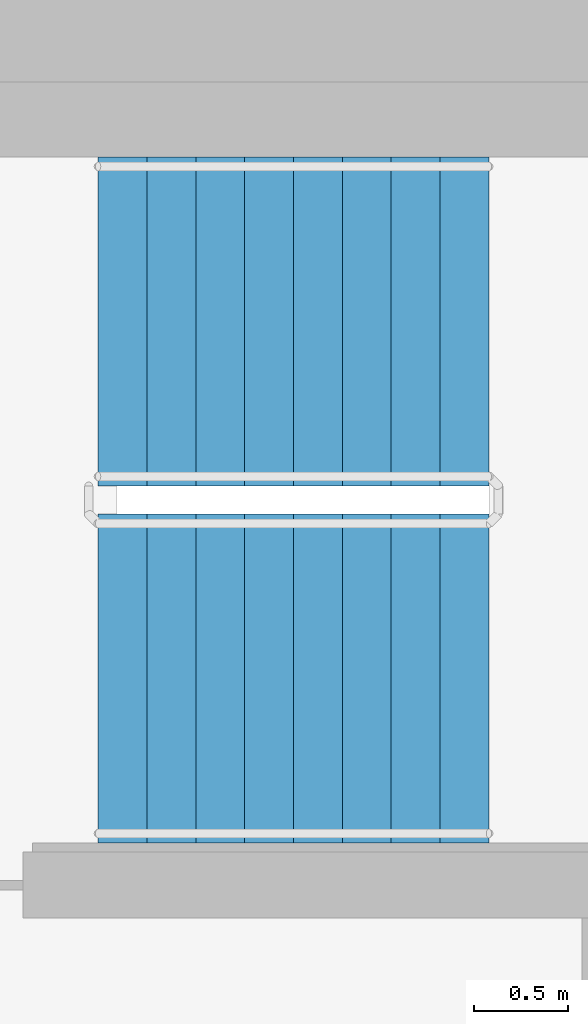
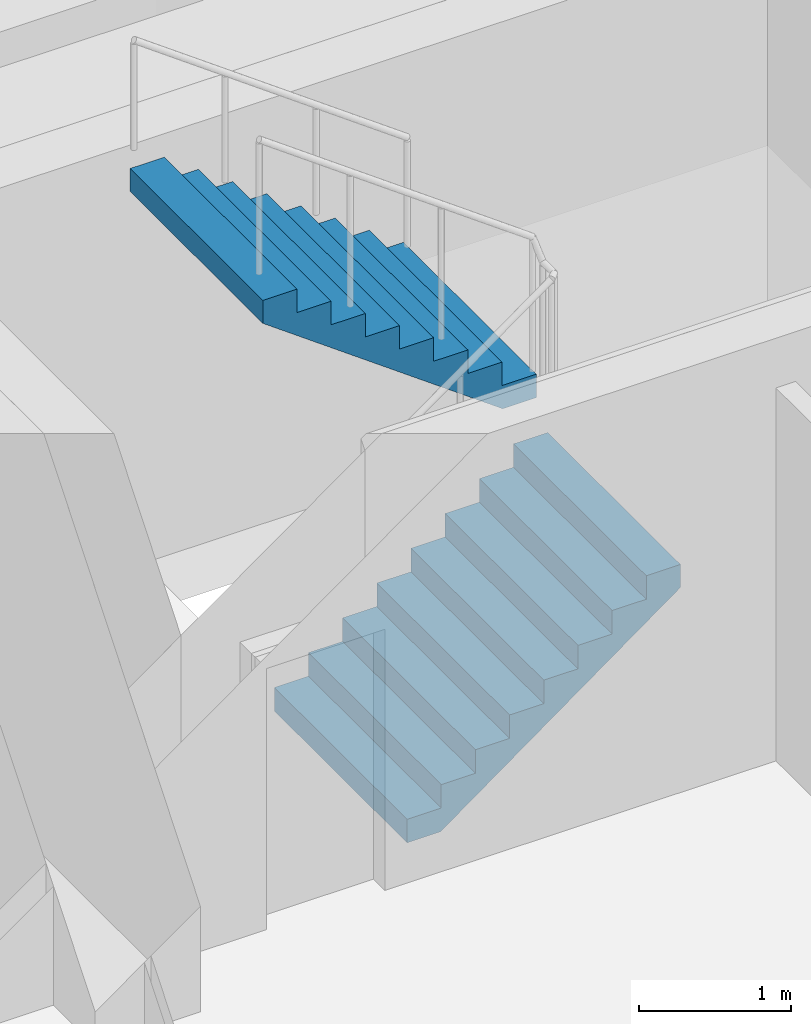
# One storey, part 14 of 19: 2 stair flights, 1 element without a shape of its own.
"""IFC4 building model written with IfcOpenShell, lengths in metres."""

import ifcopenshell
import ifcopenshell.guid

model = None  # the IFC model being written
_history = None  # IfcOwnerHistory: only IFC2X3 demands one
_inside = {}  # id of a spatial element -> (the spatial element, [elements in it])
_under = {}  # id of a project, library or spatial element -> (it, [spatial elements below it])
_declared = {}  # id of a project -> (the project, [libraries it declares])
_typed = {}  # id of a type object -> (the type object, [elements of that type])
_made_of = {}  # id of a material, layer set ... -> (it, [elements and type objects made of it])


def new_model(schema):
    """Start an empty IFC model of exactly this schema.

    Asked for "IFC4X3", IfcOpenShell would pick the latest addendum, in which some entities
    have other attributes; the version numbers below select the first issue.
    IFC2X3 requires an IfcOwnerHistory on every rooted entity: one is made here for all.
    """
    global model, _history
    if schema == "IFC4X3":
        model = ifcopenshell.file(schema_version=(4, 3, 0, 0))
    else:
        model = ifcopenshell.file(schema=schema)
    _inside.clear()
    _under.clear()
    _declared.clear()
    _typed.clear()
    _made_of.clear()
    _history = None
    if model.schema == "IFC2X3":
        org = make("IfcOrganization", Name="unknown")
        user = make(
            "IfcPersonAndOrganization",
            ThePerson=make("IfcPerson", FamilyName="unknown"),
            TheOrganization=org,
        )
        app = make(
            "IfcApplication",
            ApplicationDeveloper=org,
            Version="unknown",
            ApplicationFullName="unknown",
            ApplicationIdentifier="unknown",
        )
        _history = make(
            "IfcOwnerHistory",
            OwningUser=user,
            OwningApplication=app,
            ChangeAction="ADDED",
            CreationDate=0,
        )
    return model


def make(cls, **values):
    """One entity of the class cls with the attributes given. An attribute that is None is left unset."""
    return model.create_entity(
        cls, **{name: value for name, value in values.items() if value is not None}
    )


def rooted(cls, **values):
    """An entity with a GlobalId (a new one), such as an element, a storey or a relation."""
    return make(cls, GlobalId=ifcopenshell.guid.new(), OwnerHistory=_history, **values)


def si_unit(unit_type, name, prefix=None):
    """IfcSIUnit, for example si_unit("LENGTHUNIT", "METRE", prefix="MILLI")."""
    return make("IfcSIUnit", UnitType=unit_type, Prefix=prefix, Name=name)


def assignment(units):
    """IfcUnitAssignment: the units of a project."""
    return None if units is None else make("IfcUnitAssignment", Units=units)


def point(xyz):
    """IfcCartesianPoint."""
    return None if xyz is None else make("IfcCartesianPoint", Coordinates=xyz)


def direction(xyz):
    """IfcDirection."""
    return None if xyz is None else make("IfcDirection", DirectionRatios=xyz)


def frame(location, z_axis=None, x_axis=None):
    """IfcAxis2Placement3D, a coordinate frame: its origin and axes. An axis left out is left unset."""
    return make(
        "IfcAxis2Placement3D",
        Location=point(location),
        Axis=direction(z_axis),
        RefDirection=direction(x_axis),
    )


def origin():
    """The frame at (0, 0, 0) with its axes left unset."""
    return frame((0.0, 0.0, 0.0))


def place(relative_to, where):
    """IfcLocalPlacement: puts the frame where relative to a parent placement (None: the world)."""
    return make(
        "IfcLocalPlacement", PlacementRelTo=relative_to, RelativePlacement=where
    )


def context(
    kind, dimensions, precision=None, world=None, true_north=None, identifier=None
):
    """IfcGeometricRepresentationContext, for example the 3D "Model" context."""
    return make(
        "IfcGeometricRepresentationContext",
        ContextIdentifier=identifier,
        ContextType=kind,
        CoordinateSpaceDimension=dimensions,
        Precision=precision,
        WorldCoordinateSystem=world,
        TrueNorth=true_north,
    )


def subcontext(parent, identifier, kind, view, scale=None):
    """IfcGeometricRepresentationSubContext, for example "Body" below "Model"."""
    return make(
        "IfcGeometricRepresentationSubContext",
        ContextIdentifier=identifier,
        ContextType=kind,
        ParentContext=parent,
        TargetScale=scale,
        TargetView=view,
    )


def project(units=None, contexts=None):
    """IfcProject with its units and contexts."""
    return rooted(
        "IfcProject",
        Name="project",
        RepresentationContexts=contexts,
        UnitsInContext=assignment(units),
    )


def spatial(cls, under=None, at=None, **own):
    """A site, building, storey or space (cls), placed at a placement, below another one or the project."""
    s = rooted(cls, ObjectPlacement=at, **own)
    if under is not None:
        _under.setdefault(under.id(), (under, []))[1].append(s)
    return s


def faces_of(points, faces, orient=None, outer=None):
    """IfcFace entities. A face is a list of loops; a loop is a list of indices into points, from 0.

    orient and outer hold one flag for each loop. By default every Orientation is true, the
    first loop of a face is its IfcFaceOuterBound and the others are IfcFaceBound.
    """
    made = []
    for i, loops in enumerate(faces):
        bounds = []
        for j, loop in enumerate(loops):
            is_outer = j == 0 if outer is None else outer[i][j]
            bounds.append(
                make(
                    "IfcFaceOuterBound" if is_outer else "IfcFaceBound",
                    Bound=make("IfcPolyLoop", Polygon=[points[k] for k in loop]),
                    Orientation=True if orient is None else orient[i][j],
                )
            )
        made.append(make("IfcFace", Bounds=bounds))
    return made


def faceted_brep(points, faces, orient=None, outer=None, voids=None):
    """IfcFacetedBrep: a solid bounded by flat faces; with voids (closed shells), ...WithVoids."""
    shared = [point(p) for p in points]
    hull = make("IfcClosedShell", CfsFaces=faces_of(shared, faces, orient, outer))
    if voids is None:
        return make("IfcFacetedBrep", Outer=hull)
    return make(
        "IfcFacetedBrepWithVoids",
        Outer=hull,
        Voids=[
            make(cls, CfsFaces=faces_of(shared, fs, o, b)) for cls, fs, o, b in voids
        ],
    )


def shape(context_of_items, identifier, shape_type, items):
    """IfcShapeRepresentation: the items that make up one representation, for example the "Body"."""
    return make(
        "IfcShapeRepresentation",
        ContextOfItems=context_of_items,
        RepresentationIdentifier=identifier,
        RepresentationType=shape_type,
        Items=items,
    )


def material(Name=None, Category=None):
    """IfcMaterial."""
    return make("IfcMaterial", Name=Name, Category=Category)


def made_of(thing, what):
    """Note that an element or type object is made of a material, layer set ...; save() writes the relation."""
    if what is not None:
        _made_of.setdefault(what.id(), (what, []))[1].append(thing)
    return thing


def type_object(cls, material=None, **own):
    """A type object (cls), such as IfcWallType, which elements share."""
    return made_of(rooted(cls, **own), material)


def element(
    cls,
    number,
    at=None,
    inside=None,
    cuts=None,
    type_object=None,
    material=None,
    context=None,
    identifier="Body",
    shape_type=None,
    held_by="IfcProductDefinitionShape",
    body=None,
    shapes=None,
    **own,
):
    """One element of the class cls, such as IfcWall. Its Tag is "e" and its number.

    at: its placement. inside: the storey or other place that contains it. cuts: it is an
    opening in that element (IfcRelVoidsElement). A single representation is given by context,
    identifier, shape_type and body (its items); several are given by shapes. held_by: the class
    of the entity that holds the representations. save() writes the other relations.
    """
    e = rooted(cls, Tag="e%d" % number, ObjectPlacement=at, **own)
    if body is not None:
        shapes = [shape(context, identifier, shape_type, body)]
    if shapes is not None:
        e.Representation = make(held_by, Representations=shapes)
    if inside is not None:
        _inside.setdefault(inside.id(), (inside, []))[1].append(e)
    if cuts is not None:
        rooted(
            "IfcRelVoidsElement", RelatingBuildingElement=cuts, RelatedOpeningElement=e
        )
    if type_object is not None:
        _typed.setdefault(type_object.id(), (type_object, []))[1].append(e)
    return made_of(e, material)


def aggregate(whole, parts):
    """IfcRelAggregates: a whole, such as a stair, and the parts it consists of."""
    return rooted("IfcRelAggregates", RelatingObject=whole, RelatedObjects=parts)


def save(model, path):
    """Write the relations noted so far, then the file.

    IfcRelAggregates (storeys below a building ...), IfcRelContainedInSpatialStructure (elements
    in a storey), IfcRelDefinesByType, IfcRelAssociatesMaterial and IfcRelDeclares: one each for
    every whole, place, type object, material and project.
    """
    for whole, parts in _under.values():
        aggregate(whole, parts)
    for where, things in _inside.values():
        rooted(
            "IfcRelContainedInSpatialStructure",
            RelatedElements=things,
            RelatingStructure=where,
        )
    for kind, things in _typed.values():
        rooted("IfcRelDefinesByType", RelatedObjects=things, RelatingType=kind)
    for what, things in _made_of.values():
        rooted("IfcRelAssociatesMaterial", RelatedObjects=things, RelatingMaterial=what)
    for by, libraries in _declared.values():
        rooted("IfcRelDeclares", RelatingContext=by, RelatedDefinitions=libraries)
    model.write(path)


model = new_model("IFC4")

# Units and contexts
model_context = context("Model", 3, precision=1e-05, world=origin(), true_north=direction((0.0, 1.0)))
body_context = subcontext(model_context, "Body", "Model", "MODEL_VIEW")
ifc_project = project(units=[si_unit("LENGTHUNIT", "METRE"), si_unit("AREAUNIT", "SQUARE_METRE"), si_unit("VOLUMEUNIT", "CUBIC_METRE"), si_unit("PLANEANGLEUNIT", "RADIAN"), si_unit("MASSUNIT", "GRAM", prefix="KILO")], contexts=[model_context])

# Site, building, storey
site_placement = place(None, origin())
site = spatial("IfcSite", under=ifc_project, at=site_placement, CompositionType="ELEMENT")
building_placement = place(site_placement, origin())
building = spatial("IfcBuilding", under=site, at=building_placement, Name="Ipe Terrace Towers", CompositionType="ELEMENT")
storey_placement = place(building_placement, frame((0.0, 0.0, 147.300048828125)))
storey = spatial("IfcBuildingStorey", under=building, at=storey_placement, Name="L40", CompositionType="ELEMENT", Elevation=147.300048828125)

# Stair, stair flights
ifc_material_1 = material(Name="Concrete C30/37", Category="concrete")
stair_type = type_object("IfcStairType", Name="Protected exit stair", PredefinedType="HALF_TURN_STAIR", material=ifc_material_1)
stair_placement = place(storey_placement, origin())
stair = element("IfcStair", 1, at=stair_placement, inside=storey, type_object=stair_type, Name="L40 Exit stair T1-C1", PredefinedType="HALF_TURN_STAIR")
ifc_material_2 = material(Name="Concrete C30/37", Category="concrete")
stair_flight_type = type_object("IfcStairFlightType", Name="Exit stair flight 1750", PredefinedType="STRAIGHT", material=ifc_material_2)
stair_flight_1_placement = place(storey_placement, frame((-26.300048828125, 2.77490234375, 0.0), z_axis=(0.0, 0.0, 1.0), x_axis=(1.0, 0.0, 0.0)))
stair_flight_1 = element("IfcStairFlight", 2, at=stair_flight_1_placement, type_object=stair_flight_type, Name="T1-ST1 flight 1", NumberOfRisers=9, NumberOfTreads=8, PredefinedType="STRAIGHT", RiserHeight=0.188888889, TreadLength=0.26, context=body_context, shape_type="Brep", body=[
    faceted_brep([(0.255126953125, -0.875, 0.0), (2.080078125, -0.875, 1.325927734375), (2.080078125, -0.875, 1.51123046875), (1.820068359375, -0.875, 1.51123046875), (1.820068359375, -0.875, 1.322265625), (1.56005859375, -0.875, 1.322265625), (1.56005859375, -0.875, 1.13330078125), (1.300048828125, -0.875, 1.13330078125), (1.300048828125, -0.875, 0.9443359375), (1.0400390625, -0.875, 0.9443359375), (1.0400390625, -0.875, 0.755615234375), (0.780029296875, -0.875, 0.755615234375), (0.780029296875, -0.875, 0.566650390625), (0.52001953125, -0.875, 0.566650390625), (0.52001953125, -0.875, 0.377685546875), (0.260009765625, -0.875, 0.377685546875), (0.260009765625, -0.875, 0.18896484375), (0.0, -0.875, 0.18896484375), (0.0, -0.875, 0.0), (0.0, 0.875, 0.0), (0.0, 0.875, 0.18896484375), (0.260009765625, 0.875, 0.18896484375), (0.260009765625, 0.875, 0.377685546875), (0.52001953125, 0.875, 0.377685546875), (0.52001953125, 0.875, 0.566650390625), (0.780029296875, 0.875, 0.566650390625), (0.780029296875, 0.875, 0.755615234375), (1.0400390625, 0.875, 0.755615234375), (1.0400390625, 0.875, 0.9443359375), (1.300048828125, 0.875, 0.9443359375), (1.300048828125, 0.875, 1.13330078125), (1.56005859375, 0.875, 1.13330078125), (1.56005859375, 0.875, 1.322265625), (1.820068359375, 0.875, 1.322265625), (1.820068359375, 0.875, 1.51123046875), (2.080078125, 0.875, 1.51123046875), (2.080078125, 0.875, 1.325927734375), (0.255126953125, 0.875, 0.0), (0.0, -0.300048828125, 0.18896484375), (0.0, -0.1201171875, 0.18896484375), (0.0, -0.06005859375, 0.18896484375), (0.0, -0.030029296875, 0.18896484375), (0.0, -0.010009765625, 0.18896484375), (0.0, 0.0, 0.18896484375), (0.0, 0.010009765625, 0.18896484375), (0.0, 0.030029296875, 0.18896484375), (0.0, 0.06005859375, 0.18896484375), (0.0, 0.1201171875, 0.18896484375), (0.0, 0.300048828125, 0.18896484375), (0.0, 0.300048828125, 0.0), (0.0, 0.1201171875, 0.0), (0.0, 0.06005859375, 0.0), (0.0, 0.030029296875, 0.0), (0.0, 0.010009765625, 0.0), (0.0, 0.0, 0.0), (0.0, -0.010009765625, 0.0), (0.0, -0.030029296875, 0.0), (0.0, -0.06005859375, 0.0), (0.0, -0.1201171875, 0.0), (0.0, -0.300048828125, 0.0), (0.260009765625, -0.300048828125, 0.18896484375), (0.260009765625, -0.1201171875, 0.18896484375), (0.260009765625, -0.06005859375, 0.18896484375), (0.260009765625, -0.030029296875, 0.18896484375), (0.260009765625, -0.010009765625, 0.18896484375), (0.260009765625, 0.0, 0.18896484375), (0.260009765625, 0.010009765625, 0.18896484375), (0.260009765625, 0.030029296875, 0.18896484375), (0.260009765625, 0.06005859375, 0.18896484375), (0.260009765625, 0.1201171875, 0.18896484375), (0.260009765625, 0.300048828125, 0.18896484375), (0.260009765625, -0.300048828125, 0.377685546875), (0.260009765625, -0.1201171875, 0.377685546875), (0.260009765625, -0.06005859375, 0.377685546875), (0.260009765625, -0.030029296875, 0.377685546875), (0.260009765625, -0.010009765625, 0.377685546875), (0.260009765625, 0.0, 0.377685546875), (0.260009765625, 0.010009765625, 0.377685546875), (0.260009765625, 0.030029296875, 0.377685546875), (0.260009765625, 0.06005859375, 0.377685546875), (0.260009765625, 0.1201171875, 0.377685546875), (0.260009765625, 0.300048828125, 0.377685546875), (0.52001953125, -0.300048828125, 0.377685546875), (0.52001953125, -0.1201171875, 0.377685546875), (0.52001953125, -0.06005859375, 0.377685546875), (0.52001953125, -0.030029296875, 0.377685546875), (0.52001953125, -0.010009765625, 0.377685546875), (0.52001953125, 0.0, 0.377685546875), (0.52001953125, 0.010009765625, 0.377685546875), (0.52001953125, 0.030029296875, 0.377685546875), (0.52001953125, 0.06005859375, 0.377685546875), (0.52001953125, 0.1201171875, 0.377685546875), (0.52001953125, 0.300048828125, 0.377685546875), (0.52001953125, -0.300048828125, 0.566650390625), (0.52001953125, -0.1201171875, 0.566650390625), (0.52001953125, -0.06005859375, 0.566650390625), (0.52001953125, -0.030029296875, 0.566650390625), (0.52001953125, -0.010009765625, 0.566650390625), (0.52001953125, 0.0, 0.566650390625), (0.52001953125, 0.010009765625, 0.566650390625), (0.52001953125, 0.030029296875, 0.566650390625), (0.52001953125, 0.06005859375, 0.566650390625), (0.52001953125, 0.1201171875, 0.566650390625), (0.52001953125, 0.300048828125, 0.566650390625), (0.780029296875, -0.300048828125, 0.566650390625), (0.780029296875, -0.1201171875, 0.566650390625), (0.780029296875, -0.06005859375, 0.566650390625), (0.780029296875, -0.030029296875, 0.566650390625), (0.780029296875, -0.010009765625, 0.566650390625), (0.780029296875, 0.0, 0.566650390625), (0.780029296875, 0.010009765625, 0.566650390625), (0.780029296875, 0.030029296875, 0.566650390625), (0.780029296875, 0.06005859375, 0.566650390625), (0.780029296875, 0.1201171875, 0.566650390625), (0.780029296875, 0.300048828125, 0.566650390625), (0.780029296875, -0.300048828125, 0.755615234375), (0.780029296875, -0.1201171875, 0.755615234375), (0.780029296875, -0.06005859375, 0.755615234375), (0.780029296875, -0.030029296875, 0.755615234375), (0.780029296875, -0.010009765625, 0.755615234375), (0.780029296875, 0.0, 0.755615234375), (0.780029296875, 0.010009765625, 0.755615234375), (0.780029296875, 0.030029296875, 0.755615234375), (0.780029296875, 0.06005859375, 0.755615234375), (0.780029296875, 0.1201171875, 0.755615234375), (0.780029296875, 0.300048828125, 0.755615234375), (1.0400390625, -0.300048828125, 0.755615234375), (1.0400390625, -0.1201171875, 0.755615234375), (1.0400390625, -0.06005859375, 0.755615234375), (1.0400390625, -0.030029296875, 0.755615234375), (1.0400390625, -0.010009765625, 0.755615234375), (1.0400390625, 0.0, 0.755615234375), (1.0400390625, 0.010009765625, 0.755615234375), (1.0400390625, 0.030029296875, 0.755615234375), (1.0400390625, 0.06005859375, 0.755615234375), (1.0400390625, 0.1201171875, 0.755615234375), (1.0400390625, 0.300048828125, 0.755615234375), (1.0400390625, -0.300048828125, 0.9443359375), (1.0400390625, -0.1201171875, 0.9443359375), (1.0400390625, -0.06005859375, 0.9443359375), (1.0400390625, -0.030029296875, 0.9443359375), (1.0400390625, -0.010009765625, 0.9443359375), (1.0400390625, 0.0, 0.9443359375), (1.0400390625, 0.010009765625, 0.9443359375), (1.0400390625, 0.030029296875, 0.9443359375), (1.0400390625, 0.06005859375, 0.9443359375), (1.0400390625, 0.1201171875, 0.9443359375), (1.0400390625, 0.300048828125, 0.9443359375), (1.300048828125, -0.300048828125, 0.9443359375), (1.300048828125, -0.1201171875, 0.9443359375), (1.300048828125, -0.06005859375, 0.9443359375), (1.300048828125, -0.030029296875, 0.9443359375), (1.300048828125, -0.010009765625, 0.9443359375), (1.300048828125, 0.0, 0.9443359375), (1.300048828125, 0.010009765625, 0.9443359375), (1.300048828125, 0.030029296875, 0.9443359375), (1.300048828125, 0.06005859375, 0.9443359375), (1.300048828125, 0.1201171875, 0.9443359375), (1.300048828125, 0.300048828125, 0.9443359375), (1.300048828125, -0.300048828125, 1.13330078125), (1.300048828125, -0.1201171875, 1.13330078125), (1.300048828125, -0.06005859375, 1.13330078125), (1.300048828125, -0.030029296875, 1.13330078125), (1.300048828125, -0.010009765625, 1.13330078125), (1.300048828125, 0.0, 1.13330078125), (1.300048828125, 0.010009765625, 1.13330078125), (1.300048828125, 0.030029296875, 1.13330078125), (1.300048828125, 0.06005859375, 1.13330078125), (1.300048828125, 0.1201171875, 1.13330078125), (1.300048828125, 0.300048828125, 1.13330078125), (1.56005859375, -0.300048828125, 1.13330078125), (1.56005859375, -0.1201171875, 1.13330078125), (1.56005859375, -0.06005859375, 1.13330078125), (1.56005859375, -0.030029296875, 1.13330078125), (1.56005859375, -0.010009765625, 1.13330078125), (1.56005859375, 0.0, 1.13330078125), (1.56005859375, 0.010009765625, 1.13330078125), (1.56005859375, 0.030029296875, 1.13330078125), (1.56005859375, 0.06005859375, 1.13330078125), (1.56005859375, 0.1201171875, 1.13330078125), (1.56005859375, 0.300048828125, 1.13330078125), (1.56005859375, -0.300048828125, 1.322265625), (1.56005859375, -0.1201171875, 1.322265625), (1.56005859375, -0.06005859375, 1.322265625), (1.56005859375, -0.030029296875, 1.322265625), (1.56005859375, -0.010009765625, 1.322265625), (1.56005859375, 0.0, 1.322265625), (1.56005859375, 0.010009765625, 1.322265625), (1.56005859375, 0.030029296875, 1.322265625), (1.56005859375, 0.06005859375, 1.322265625), (1.56005859375, 0.1201171875, 1.322265625), (1.56005859375, 0.300048828125, 1.322265625), (1.820068359375, -0.300048828125, 1.322265625), (1.820068359375, -0.1201171875, 1.322265625), (1.820068359375, -0.06005859375, 1.322265625), (1.820068359375, -0.030029296875, 1.322265625), (1.820068359375, -0.010009765625, 1.322265625), (1.820068359375, 0.0, 1.322265625), (1.820068359375, 0.010009765625, 1.322265625), (1.820068359375, 0.030029296875, 1.322265625), (1.820068359375, 0.06005859375, 1.322265625), (1.820068359375, 0.1201171875, 1.322265625), (1.820068359375, 0.300048828125, 1.322265625), (1.820068359375, -0.300048828125, 1.51123046875), (1.820068359375, -0.1201171875, 1.51123046875), (1.820068359375, -0.06005859375, 1.51123046875), (1.820068359375, -0.030029296875, 1.51123046875), (1.820068359375, -0.010009765625, 1.51123046875), (1.820068359375, 0.0, 1.51123046875), (1.820068359375, 0.010009765625, 1.51123046875), (1.820068359375, 0.030029296875, 1.51123046875), (1.820068359375, 0.06005859375, 1.51123046875), (1.820068359375, 0.1201171875, 1.51123046875), (1.820068359375, 0.300048828125, 1.51123046875), (2.080078125, -0.300048828125, 1.51123046875), (2.080078125, -0.1201171875, 1.51123046875), (2.080078125, -0.06005859375, 1.51123046875), (2.080078125, -0.030029296875, 1.51123046875), (2.080078125, -0.010009765625, 1.51123046875), (2.080078125, 0.0, 1.51123046875), (2.080078125, 0.010009765625, 1.51123046875), (2.080078125, 0.030029296875, 1.51123046875), (2.080078125, 0.06005859375, 1.51123046875), (2.080078125, 0.1201171875, 1.51123046875), (2.080078125, 0.300048828125, 1.51123046875), (2.080078125, -0.300048828125, 1.325927734375), (2.080078125, -0.1201171875, 1.325927734375), (2.080078125, -0.06005859375, 1.325927734375), (2.080078125, -0.030029296875, 1.325927734375), (2.080078125, -0.010009765625, 1.325927734375), (2.080078125, 0.0, 1.325927734375), (2.080078125, 0.010009765625, 1.325927734375), (2.080078125, 0.030029296875, 1.325927734375), (2.080078125, 0.06005859375, 1.325927734375), (2.080078125, 0.1201171875, 1.325927734375), (2.080078125, 0.300048828125, 1.325927734375), (0.255126953125, -0.300048828125, 0.0), (0.255126953125, -0.1201171875, 0.0), (0.255126953125, -0.06005859375, 0.0), (0.255126953125, -0.030029296875, 0.0), (0.255126953125, -0.010009765625, 0.0), (0.255126953125, 0.0, 0.0), (0.255126953125, 0.010009765625, 0.0), (0.255126953125, 0.030029296875, 0.0), (0.255126953125, 0.06005859375, 0.0), (0.255126953125, 0.1201171875, 0.0), (0.255126953125, 0.300048828125, 0.0)], [[[0, 1, 2, 3, 4, 5, 6, 7, 8, 9, 10, 11, 12, 13, 14, 15, 16, 17, 18]], [[19, 20, 21, 22, 23, 24, 25, 26, 27, 28, 29, 30, 31, 32, 33, 34, 35, 36, 37]], [[17, 38, 39, 40, 41, 42, 43, 44, 45, 46, 47, 48, 20, 19, 49, 50, 51, 52, 53, 54, 55, 56, 57, 58, 59, 18]], [[16, 60, 61, 62, 63, 64, 65, 66, 67, 68, 69, 70, 21, 20, 48, 47, 46, 45, 44, 43, 42, 41, 40, 39, 38, 17]], [[15, 71, 72, 73, 74, 75, 76, 77, 78, 79, 80, 81, 22, 21, 70, 69, 68, 67, 66, 65, 64, 63, 62, 61, 60, 16]], [[14, 82, 83, 84, 85, 86, 87, 88, 89, 90, 91, 92, 23, 22, 81, 80, 79, 78, 77, 76, 75, 74, 73, 72, 71, 15]], [[13, 93, 94, 95, 96, 97, 98, 99, 100, 101, 102, 103, 24, 23, 92, 91, 90, 89, 88, 87, 86, 85, 84, 83, 82, 14]], [[12, 104, 105, 106, 107, 108, 109, 110, 111, 112, 113, 114, 25, 24, 103, 102, 101, 100, 99, 98, 97, 96, 95, 94, 93, 13]], [[11, 115, 116, 117, 118, 119, 120, 121, 122, 123, 124, 125, 26, 25, 114, 113, 112, 111, 110, 109, 108, 107, 106, 105, 104, 12]], [[10, 126, 127, 128, 129, 130, 131, 132, 133, 134, 135, 136, 27, 26, 125, 124, 123, 122, 121, 120, 119, 118, 117, 116, 115, 11]], [[9, 137, 138, 139, 140, 141, 142, 143, 144, 145, 146, 147, 28, 27, 136, 135, 134, 133, 132, 131, 130, 129, 128, 127, 126, 10]], [[8, 148, 149, 150, 151, 152, 153, 154, 155, 156, 157, 158, 29, 28, 147, 146, 145, 144, 143, 142, 141, 140, 139, 138, 137, 9]], [[7, 159, 160, 161, 162, 163, 164, 165, 166, 167, 168, 169, 30, 29, 158, 157, 156, 155, 154, 153, 152, 151, 150, 149, 148, 8]], [[6, 170, 171, 172, 173, 174, 175, 176, 177, 178, 179, 180, 31, 30, 169, 168, 167, 166, 165, 164, 163, 162, 161, 160, 159, 7]], [[5, 181, 182, 183, 184, 185, 186, 187, 188, 189, 190, 191, 32, 31, 180, 179, 178, 177, 176, 175, 174, 173, 172, 171, 170, 6]], [[4, 192, 193, 194, 195, 196, 197, 198, 199, 200, 201, 202, 33, 32, 191, 190, 189, 188, 187, 186, 185, 184, 183, 182, 181, 5]], [[3, 203, 204, 205, 206, 207, 208, 209, 210, 211, 212, 213, 34, 33, 202, 201, 200, 199, 198, 197, 196, 195, 194, 193, 192, 4]], [[2, 214, 215, 216, 217, 218, 219, 220, 221, 222, 223, 224, 35, 34, 213, 212, 211, 210, 209, 208, 207, 206, 205, 204, 203, 3]], [[1, 225, 226, 227, 228, 229, 230, 231, 232, 233, 234, 235, 36, 35, 224, 223, 222, 221, 220, 219, 218, 217, 216, 215, 214, 2]], [[0, 236, 237, 238, 239, 240, 241, 242, 243, 244, 245, 246, 37, 36, 235, 234, 233, 232, 231, 230, 229, 228, 227, 226, 225, 1]], [[18, 59, 58, 57, 56, 55, 54, 53, 52, 51, 50, 49, 19, 37, 246, 245, 244, 243, 242, 241, 240, 239, 238, 237, 236, 0]]]),
])
stair_flight_2_placement = place(storey_placement, frame((-24.219970703125, 4.675048828125, 1.699951171875), z_axis=(0.0, 0.0, 1.0), x_axis=(-1.0, 0.0, 0.0)))
stair_flight_2 = element("IfcStairFlight", 3, at=stair_flight_2_placement, type_object=stair_flight_type, Name="T1-ST1 flight 2", NumberOfRisers=9, NumberOfTreads=8, PredefinedType="STRAIGHT", RiserHeight=0.188888889, TreadLength=0.26, context=body_context, shape_type="Brep", body=[
    faceted_brep([(0.255126953125, -0.875, 0.0), (2.080078125, -0.875, 1.325927734375), (2.080078125, -0.875, 1.51123046875), (1.820068359375, -0.875, 1.51123046875), (1.820068359375, -0.875, 1.322265625), (1.56005859375, -0.875, 1.322265625), (1.56005859375, -0.875, 1.13330078125), (1.300048828125, -0.875, 1.13330078125), (1.300048828125, -0.875, 0.9443359375), (1.0400390625, -0.875, 0.9443359375), (1.0400390625, -0.875, 0.755615234375), (0.780029296875, -0.875, 0.755615234375), (0.780029296875, -0.875, 0.566650390625), (0.52001953125, -0.875, 0.566650390625), (0.52001953125, -0.875, 0.377685546875), (0.260009765625, -0.875, 0.377685546875), (0.260009765625, -0.875, 0.18896484375), (0.0, -0.875, 0.18896484375), (0.0, -0.875, 0.0), (0.0, 0.875, 0.0), (0.0, 0.875, 0.18896484375), (0.260009765625, 0.875, 0.18896484375), (0.260009765625, 0.875, 0.377685546875), (0.52001953125, 0.875, 0.377685546875), (0.52001953125, 0.875, 0.566650390625), (0.780029296875, 0.875, 0.566650390625), (0.780029296875, 0.875, 0.755615234375), (1.0400390625, 0.875, 0.755615234375), (1.0400390625, 0.875, 0.9443359375), (1.300048828125, 0.875, 0.9443359375), (1.300048828125, 0.875, 1.13330078125), (1.56005859375, 0.875, 1.13330078125), (1.56005859375, 0.875, 1.322265625), (1.820068359375, 0.875, 1.322265625), (1.820068359375, 0.875, 1.51123046875), (2.080078125, 0.875, 1.51123046875), (2.080078125, 0.875, 1.325927734375), (0.255126953125, 0.875, 0.0), (0.0, -0.300048828125, 0.18896484375), (0.0, -0.1201171875, 0.18896484375), (0.0, -0.06005859375, 0.18896484375), (0.0, -0.030029296875, 0.18896484375), (0.0, -0.010009765625, 0.18896484375), (0.0, 0.0, 0.18896484375), (0.0, 0.010009765625, 0.18896484375), (0.0, 0.030029296875, 0.18896484375), (0.0, 0.06005859375, 0.18896484375), (0.0, 0.1201171875, 0.18896484375), (0.0, 0.300048828125, 0.18896484375), (0.0, 0.300048828125, 0.0), (0.0, 0.1201171875, 0.0), (0.0, 0.06005859375, 0.0), (0.0, 0.030029296875, 0.0), (0.0, 0.010009765625, 0.0), (0.0, 0.0, 0.0), (0.0, -0.010009765625, 0.0), (0.0, -0.030029296875, 0.0), (0.0, -0.06005859375, 0.0), (0.0, -0.1201171875, 0.0), (0.0, -0.300048828125, 0.0), (0.260009765625, -0.300048828125, 0.18896484375), (0.260009765625, -0.1201171875, 0.18896484375), (0.260009765625, -0.06005859375, 0.18896484375), (0.260009765625, -0.030029296875, 0.18896484375), (0.260009765625, -0.010009765625, 0.18896484375), (0.260009765625, 0.0, 0.18896484375), (0.260009765625, 0.010009765625, 0.18896484375), (0.260009765625, 0.030029296875, 0.18896484375), (0.260009765625, 0.06005859375, 0.18896484375), (0.260009765625, 0.1201171875, 0.18896484375), (0.260009765625, 0.300048828125, 0.18896484375), (0.260009765625, -0.300048828125, 0.377685546875), (0.260009765625, -0.1201171875, 0.377685546875), (0.260009765625, -0.06005859375, 0.377685546875), (0.260009765625, -0.030029296875, 0.377685546875), (0.260009765625, -0.010009765625, 0.377685546875), (0.260009765625, 0.0, 0.377685546875), (0.260009765625, 0.010009765625, 0.377685546875), (0.260009765625, 0.030029296875, 0.377685546875), (0.260009765625, 0.06005859375, 0.377685546875), (0.260009765625, 0.1201171875, 0.377685546875), (0.260009765625, 0.300048828125, 0.377685546875), (0.52001953125, -0.300048828125, 0.377685546875), (0.52001953125, -0.1201171875, 0.377685546875), (0.52001953125, -0.06005859375, 0.377685546875), (0.52001953125, -0.030029296875, 0.377685546875), (0.52001953125, -0.010009765625, 0.377685546875), (0.52001953125, 0.0, 0.377685546875), (0.52001953125, 0.010009765625, 0.377685546875), (0.52001953125, 0.030029296875, 0.377685546875), (0.52001953125, 0.06005859375, 0.377685546875), (0.52001953125, 0.1201171875, 0.377685546875), (0.52001953125, 0.300048828125, 0.377685546875), (0.52001953125, -0.300048828125, 0.566650390625), (0.52001953125, -0.1201171875, 0.566650390625), (0.52001953125, -0.06005859375, 0.566650390625), (0.52001953125, -0.030029296875, 0.566650390625), (0.52001953125, -0.010009765625, 0.566650390625), (0.52001953125, 0.0, 0.566650390625), (0.52001953125, 0.010009765625, 0.566650390625), (0.52001953125, 0.030029296875, 0.566650390625), (0.52001953125, 0.06005859375, 0.566650390625), (0.52001953125, 0.1201171875, 0.566650390625), (0.52001953125, 0.300048828125, 0.566650390625), (0.780029296875, -0.300048828125, 0.566650390625), (0.780029296875, -0.1201171875, 0.566650390625), (0.780029296875, -0.06005859375, 0.566650390625), (0.780029296875, -0.030029296875, 0.566650390625), (0.780029296875, -0.010009765625, 0.566650390625), (0.780029296875, 0.0, 0.566650390625), (0.780029296875, 0.010009765625, 0.566650390625), (0.780029296875, 0.030029296875, 0.566650390625), (0.780029296875, 0.06005859375, 0.566650390625), (0.780029296875, 0.1201171875, 0.566650390625), (0.780029296875, 0.300048828125, 0.566650390625), (0.780029296875, -0.300048828125, 0.755615234375), (0.780029296875, -0.1201171875, 0.755615234375), (0.780029296875, -0.06005859375, 0.755615234375), (0.780029296875, -0.030029296875, 0.755615234375), (0.780029296875, -0.010009765625, 0.755615234375), (0.780029296875, 0.0, 0.755615234375), (0.780029296875, 0.010009765625, 0.755615234375), (0.780029296875, 0.030029296875, 0.755615234375), (0.780029296875, 0.06005859375, 0.755615234375), (0.780029296875, 0.1201171875, 0.755615234375), (0.780029296875, 0.300048828125, 0.755615234375), (1.0400390625, -0.300048828125, 0.755615234375), (1.0400390625, -0.1201171875, 0.755615234375), (1.0400390625, -0.06005859375, 0.755615234375), (1.0400390625, -0.030029296875, 0.755615234375), (1.0400390625, -0.010009765625, 0.755615234375), (1.0400390625, 0.0, 0.755615234375), (1.0400390625, 0.010009765625, 0.755615234375), (1.0400390625, 0.030029296875, 0.755615234375), (1.0400390625, 0.06005859375, 0.755615234375), (1.0400390625, 0.1201171875, 0.755615234375), (1.0400390625, 0.300048828125, 0.755615234375), (1.0400390625, -0.300048828125, 0.9443359375), (1.0400390625, -0.1201171875, 0.9443359375), (1.0400390625, -0.06005859375, 0.9443359375), (1.0400390625, -0.030029296875, 0.9443359375), (1.0400390625, -0.010009765625, 0.9443359375), (1.0400390625, 0.0, 0.9443359375), (1.0400390625, 0.010009765625, 0.9443359375), (1.0400390625, 0.030029296875, 0.9443359375), (1.0400390625, 0.06005859375, 0.9443359375), (1.0400390625, 0.1201171875, 0.9443359375), (1.0400390625, 0.300048828125, 0.9443359375), (1.300048828125, -0.300048828125, 0.9443359375), (1.300048828125, -0.1201171875, 0.9443359375), (1.300048828125, -0.06005859375, 0.9443359375), (1.300048828125, -0.030029296875, 0.9443359375), (1.300048828125, -0.010009765625, 0.9443359375), (1.300048828125, 0.0, 0.9443359375), (1.300048828125, 0.010009765625, 0.9443359375), (1.300048828125, 0.030029296875, 0.9443359375), (1.300048828125, 0.06005859375, 0.9443359375), (1.300048828125, 0.1201171875, 0.9443359375), (1.300048828125, 0.300048828125, 0.9443359375), (1.300048828125, -0.300048828125, 1.13330078125), (1.300048828125, -0.1201171875, 1.13330078125), (1.300048828125, -0.06005859375, 1.13330078125), (1.300048828125, -0.030029296875, 1.13330078125), (1.300048828125, -0.010009765625, 1.13330078125), (1.300048828125, 0.0, 1.13330078125), (1.300048828125, 0.010009765625, 1.13330078125), (1.300048828125, 0.030029296875, 1.13330078125), (1.300048828125, 0.06005859375, 1.13330078125), (1.300048828125, 0.1201171875, 1.13330078125), (1.300048828125, 0.300048828125, 1.13330078125), (1.56005859375, -0.300048828125, 1.13330078125), (1.56005859375, -0.1201171875, 1.13330078125), (1.56005859375, -0.06005859375, 1.13330078125), (1.56005859375, -0.030029296875, 1.13330078125), (1.56005859375, -0.010009765625, 1.13330078125), (1.56005859375, 0.0, 1.13330078125), (1.56005859375, 0.010009765625, 1.13330078125), (1.56005859375, 0.030029296875, 1.13330078125), (1.56005859375, 0.06005859375, 1.13330078125), (1.56005859375, 0.1201171875, 1.13330078125), (1.56005859375, 0.300048828125, 1.13330078125), (1.56005859375, -0.300048828125, 1.322265625), (1.56005859375, -0.1201171875, 1.322265625), (1.56005859375, -0.06005859375, 1.322265625), (1.56005859375, -0.030029296875, 1.322265625), (1.56005859375, -0.010009765625, 1.322265625), (1.56005859375, 0.0, 1.322265625), (1.56005859375, 0.010009765625, 1.322265625), (1.56005859375, 0.030029296875, 1.322265625), (1.56005859375, 0.06005859375, 1.322265625), (1.56005859375, 0.1201171875, 1.322265625), (1.56005859375, 0.300048828125, 1.322265625), (1.820068359375, -0.300048828125, 1.322265625), (1.820068359375, -0.1201171875, 1.322265625), (1.820068359375, -0.06005859375, 1.322265625), (1.820068359375, -0.030029296875, 1.322265625), (1.820068359375, -0.010009765625, 1.322265625), (1.820068359375, 0.0, 1.322265625), (1.820068359375, 0.010009765625, 1.322265625), (1.820068359375, 0.030029296875, 1.322265625), (1.820068359375, 0.06005859375, 1.322265625), (1.820068359375, 0.1201171875, 1.322265625), (1.820068359375, 0.300048828125, 1.322265625), (1.820068359375, -0.300048828125, 1.51123046875), (1.820068359375, -0.1201171875, 1.51123046875), (1.820068359375, -0.06005859375, 1.51123046875), (1.820068359375, -0.030029296875, 1.51123046875), (1.820068359375, -0.010009765625, 1.51123046875), (1.820068359375, 0.0, 1.51123046875), (1.820068359375, 0.010009765625, 1.51123046875), (1.820068359375, 0.030029296875, 1.51123046875), (1.820068359375, 0.06005859375, 1.51123046875), (1.820068359375, 0.1201171875, 1.51123046875), (1.820068359375, 0.300048828125, 1.51123046875), (2.080078125, -0.300048828125, 1.51123046875), (2.080078125, -0.1201171875, 1.51123046875), (2.080078125, -0.06005859375, 1.51123046875), (2.080078125, -0.030029296875, 1.51123046875), (2.080078125, -0.010009765625, 1.51123046875), (2.080078125, 0.0, 1.51123046875), (2.080078125, 0.010009765625, 1.51123046875), (2.080078125, 0.030029296875, 1.51123046875), (2.080078125, 0.06005859375, 1.51123046875), (2.080078125, 0.1201171875, 1.51123046875), (2.080078125, 0.300048828125, 1.51123046875), (2.080078125, -0.300048828125, 1.325927734375), (2.080078125, -0.1201171875, 1.325927734375), (2.080078125, -0.06005859375, 1.325927734375), (2.080078125, -0.030029296875, 1.325927734375), (2.080078125, -0.010009765625, 1.325927734375), (2.080078125, 0.0, 1.325927734375), (2.080078125, 0.010009765625, 1.325927734375), (2.080078125, 0.030029296875, 1.325927734375), (2.080078125, 0.06005859375, 1.325927734375), (2.080078125, 0.1201171875, 1.325927734375), (2.080078125, 0.300048828125, 1.325927734375), (0.255126953125, -0.300048828125, 0.0), (0.255126953125, -0.1201171875, 0.0), (0.255126953125, -0.06005859375, 0.0), (0.255126953125, -0.030029296875, 0.0), (0.255126953125, -0.010009765625, 0.0), (0.255126953125, 0.0, 0.0), (0.255126953125, 0.010009765625, 0.0), (0.255126953125, 0.030029296875, 0.0), (0.255126953125, 0.06005859375, 0.0), (0.255126953125, 0.1201171875, 0.0), (0.255126953125, 0.300048828125, 0.0)], [[[0, 1, 2, 3, 4, 5, 6, 7, 8, 9, 10, 11, 12, 13, 14, 15, 16, 17, 18]], [[19, 20, 21, 22, 23, 24, 25, 26, 27, 28, 29, 30, 31, 32, 33, 34, 35, 36, 37]], [[17, 38, 39, 40, 41, 42, 43, 44, 45, 46, 47, 48, 20, 19, 49, 50, 51, 52, 53, 54, 55, 56, 57, 58, 59, 18]], [[16, 60, 61, 62, 63, 64, 65, 66, 67, 68, 69, 70, 21, 20, 48, 47, 46, 45, 44, 43, 42, 41, 40, 39, 38, 17]], [[15, 71, 72, 73, 74, 75, 76, 77, 78, 79, 80, 81, 22, 21, 70, 69, 68, 67, 66, 65, 64, 63, 62, 61, 60, 16]], [[14, 82, 83, 84, 85, 86, 87, 88, 89, 90, 91, 92, 23, 22, 81, 80, 79, 78, 77, 76, 75, 74, 73, 72, 71, 15]], [[13, 93, 94, 95, 96, 97, 98, 99, 100, 101, 102, 103, 24, 23, 92, 91, 90, 89, 88, 87, 86, 85, 84, 83, 82, 14]], [[12, 104, 105, 106, 107, 108, 109, 110, 111, 112, 113, 114, 25, 24, 103, 102, 101, 100, 99, 98, 97, 96, 95, 94, 93, 13]], [[11, 115, 116, 117, 118, 119, 120, 121, 122, 123, 124, 125, 26, 25, 114, 113, 112, 111, 110, 109, 108, 107, 106, 105, 104, 12]], [[10, 126, 127, 128, 129, 130, 131, 132, 133, 134, 135, 136, 27, 26, 125, 124, 123, 122, 121, 120, 119, 118, 117, 116, 115, 11]], [[9, 137, 138, 139, 140, 141, 142, 143, 144, 145, 146, 147, 28, 27, 136, 135, 134, 133, 132, 131, 130, 129, 128, 127, 126, 10]], [[8, 148, 149, 150, 151, 152, 153, 154, 155, 156, 157, 158, 29, 28, 147, 146, 145, 144, 143, 142, 141, 140, 139, 138, 137, 9]], [[7, 159, 160, 161, 162, 163, 164, 165, 166, 167, 168, 169, 30, 29, 158, 157, 156, 155, 154, 153, 152, 151, 150, 149, 148, 8]], [[6, 170, 171, 172, 173, 174, 175, 176, 177, 178, 179, 180, 31, 30, 169, 168, 167, 166, 165, 164, 163, 162, 161, 160, 159, 7]], [[5, 181, 182, 183, 184, 185, 186, 187, 188, 189, 190, 191, 32, 31, 180, 179, 178, 177, 176, 175, 174, 173, 172, 171, 170, 6]], [[4, 192, 193, 194, 195, 196, 197, 198, 199, 200, 201, 202, 33, 32, 191, 190, 189, 188, 187, 186, 185, 184, 183, 182, 181, 5]], [[3, 203, 204, 205, 206, 207, 208, 209, 210, 211, 212, 213, 34, 33, 202, 201, 200, 199, 198, 197, 196, 195, 194, 193, 192, 4]], [[2, 214, 215, 216, 217, 218, 219, 220, 221, 222, 223, 224, 35, 34, 213, 212, 211, 210, 209, 208, 207, 206, 205, 204, 203, 3]], [[1, 225, 226, 227, 228, 229, 230, 231, 232, 233, 234, 235, 36, 35, 224, 223, 222, 221, 220, 219, 218, 217, 216, 215, 214, 2]], [[0, 236, 237, 238, 239, 240, 241, 242, 243, 244, 245, 246, 37, 36, 235, 234, 233, 232, 231, 230, 229, 228, 227, 226, 225, 1]], [[18, 59, 58, 57, 56, 55, 54, 53, 52, 51, 50, 49, 19, 37, 246, 245, 244, 243, 242, 241, 240, 239, 238, 237, 236, 0]]]),
])
aggregate(stair, [stair_flight_1, stair_flight_2])

save(model, "model.ifc")
